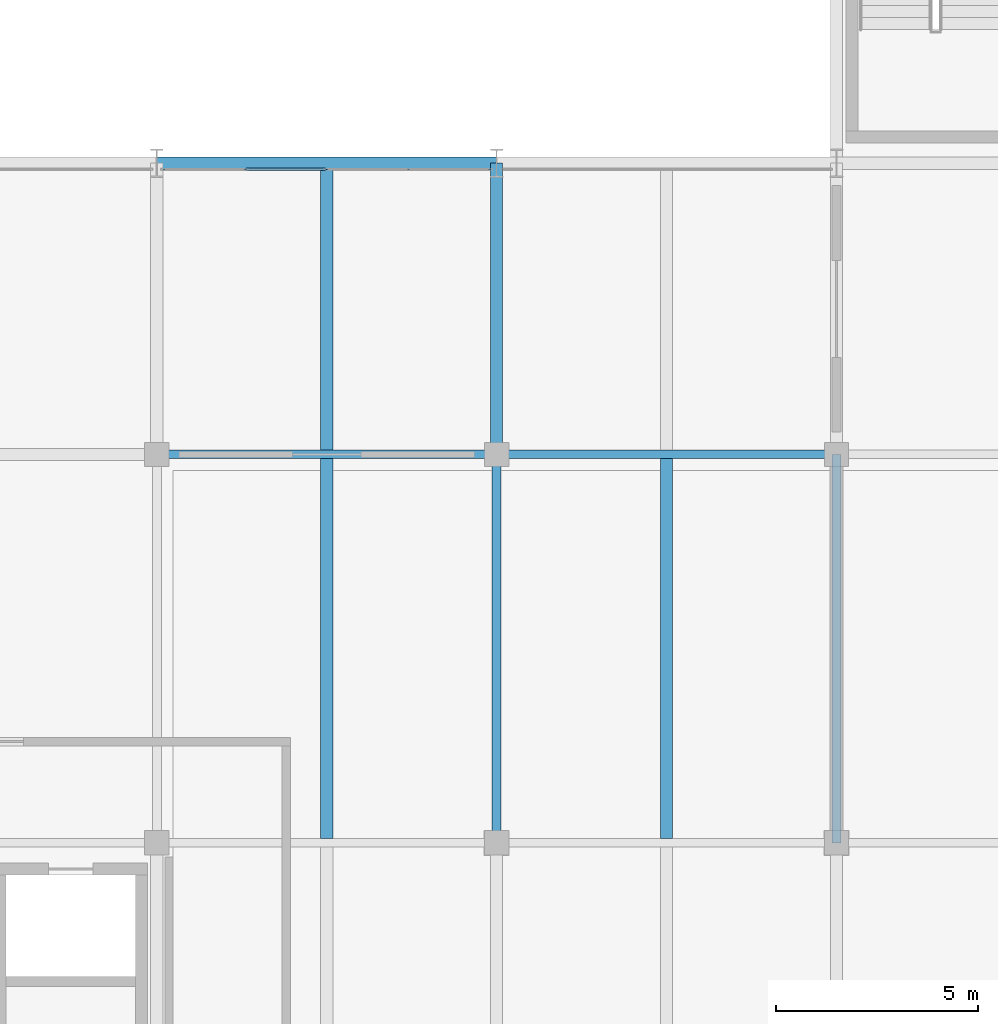
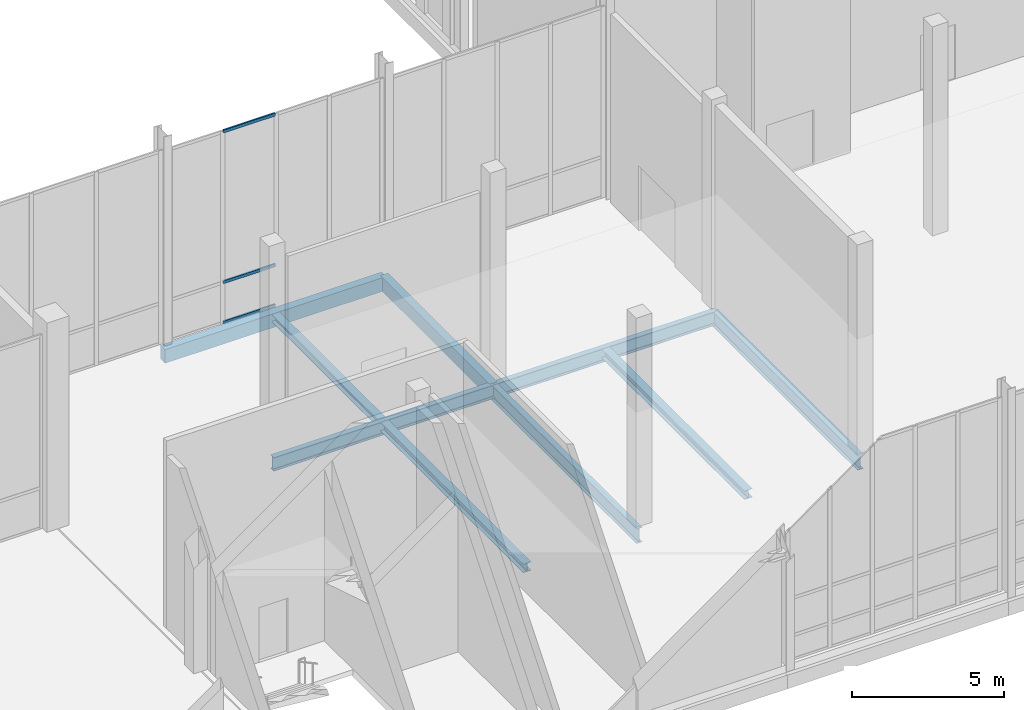
# One storey, part 34 of 131: 9 beams, 3 members, 1 element without a shape of its own.
"""IFC4 building model written with IfcOpenShell, lengths in metres."""

from ifc_helpers import new_model, si_unit, direction, frame, origin, origin_2d, place, context, subcontext, project, spatial, rectangle, hollow_rectangle, i_section, extrude, material, material_profile, profile_set, type_object, element, aggregate, save


model = new_model("IFC4")

# Units and contexts
model_context = context("Model", 3, precision=1e-05, world=origin(), true_north=direction((0.0, 1.0)))
body_context = subcontext(model_context, "Body", "Model", "MODEL_VIEW")
ifc_project = project(units=[si_unit("LENGTHUNIT", "METRE"), si_unit("AREAUNIT", "SQUARE_METRE"), si_unit("VOLUMEUNIT", "CUBIC_METRE"), si_unit("PLANEANGLEUNIT", "RADIAN"), si_unit("MASSUNIT", "GRAM", prefix="KILO")], contexts=[model_context])

# Site, building, storey
site_placement = place(None, origin())
site = spatial("IfcSite", under=ifc_project, at=site_placement, CompositionType="ELEMENT")
building_placement = place(site_placement, origin())
building = spatial("IfcBuilding", under=site, at=building_placement, Name="Veltarok Museum of Natural Sciences", CompositionType="ELEMENT")
storey_placement = place(building_placement, origin())
storey = spatial("IfcBuildingStorey", under=building, at=storey_placement, Name="L00", CompositionType="ELEMENT", Elevation=0.0)

# Beams
ifc_material_1 = material(Name="Steel S355J2", Category="steel")
ifc_material_profile_1 = material_profile(ifc_material_1, i_section(OverallWidth=0.2099609375, OverallDepth=0.550048828125, WebThickness=0.010986328125, FlangeThickness=0.01708984375, FilletRadius=0.02392578125, at=origin_2d()), Name="IPE 550")
ifc_profile_set_1 = profile_set([ifc_material_profile_1], Name="Steel S355J2")
beam_type_1 = type_object("IfcBeamType", Name="Archive Heavy Girder IPE 550", PredefinedType="BEAM", material=ifc_profile_set_1)
for number, where, z_axis, x_axis, name in (
    (1, (115.60009765625, 19.199951171875, -0.574951171875), (1.0, 0.0, 0.0), (0.0, 1.0, 0.0), "Beam BM-G03 L00 14-15/C"),
    (2, (124.0, 19.199951171875, -0.574951171875), (1.0, 0.0, 0.0), (0.0, 1.0, 0.0), "Beam BM-G03 L00 15-16/C"),
):
    element("IfcBeam", number, at=place(storey_placement, frame(where, z_axis=z_axis, x_axis=x_axis)), inside=storey, type_object=beam_type_1, Name=name, PredefinedType="BEAM", context=body_context, shape_type="SweptSolid", body=[
        extrude(i_section(OverallWidth=0.2099609375, OverallDepth=0.550048828125, WebThickness=0.010986328125, FlangeThickness=0.01708984375, FilletRadius=0.02392578125, at=origin_2d()), origin(), (0.0, 0.0, 1.0), 8.39990234375),
    ])

# Curtain wall, members
ifc_material_2 = material(Name="Low-iron triple insulated glass", Category="glass")
curtain_wall_type = type_object("IfcCurtainWallType", Name="Curtain Wall System CW-V5CN-L00-1-810x773 (CW-V5CN L00 810x773cm)", PredefinedType="NOTDEFINED", material=ifc_material_2)
curtain_wall_placement = place(storey_placement, origin())
curtain_wall = element("IfcCurtainWall", 3, at=curtain_wall_placement, inside=storey, type_object=curtain_wall_type, Name="Curtain Wall CW-V5CN-L00-1-810x773 CW-0185", PredefinedType="NOTDEFINED")
ifc_material_3 = material(Name="Thermally broken anodised aluminium", Category="aluminium")
ifc_material_profile_2 = material_profile(ifc_material_3, hollow_rectangle(XDim=0.06005859375, YDim=0.1201171875, WallThickness=0.0048828125, at=origin_2d()), Name="CW TRANSOM 60x120x5")
ifc_profile_set_2 = profile_set([ifc_material_profile_2], Name="Thermally broken anodised aluminium")
member_type = type_object("IfcMemberType", Name="Curtain Wall Horizontal Transom 60x120x5", PredefinedType="USERDEFINED", material=ifc_profile_set_2)
member_1_placement = place(storey_placement, frame((119.77001953125, 26.25, 0.028076171875), z_axis=(-1.0, 0.0, 0.0), x_axis=(0.0, -1.0, 0.0)))
member_1 = element("IfcMember", 4, at=member_1_placement, type_object=member_type, Name="CW-V5CN-L00-1-810x773 transom 3.1", ObjectType="TRANSOM", PredefinedType="USERDEFINED", context=body_context, shape_type="SweptSolid", body=[
    extrude(hollow_rectangle(XDim=0.06005859375, YDim=0.1201171875, WallThickness=0.0048828125, at=origin_2d()), origin(), (0.0, 0.0, 1.0), 1.965087890625),
])
member_2_placement = place(storey_placement, frame((119.77001953125, 26.25, 1.64794921875), z_axis=(-1.0, 0.0, 0.0), x_axis=(0.0, -1.0, 0.0)))
member_2 = element("IfcMember", 5, at=member_2_placement, type_object=member_type, Name="CW-V5CN-L00-1-810x773 transom 3.2", ObjectType="TRANSOM", PredefinedType="USERDEFINED", context=body_context, shape_type="SweptSolid", body=[
    extrude(hollow_rectangle(XDim=0.06005859375, YDim=0.1201171875, WallThickness=0.0048828125, at=origin_2d()), origin(), (0.0, 0.0, 1.0), 1.965087890625),
])
member_3_placement = place(storey_placement, frame((119.77001953125, 26.25, 7.699951171875), z_axis=(-1.0, 0.0, 0.0), x_axis=(0.0, -1.0, 0.0)))
member_3 = element("IfcMember", 6, at=member_3_placement, type_object=member_type, Name="CW-V5CN-L00-1-810x773 transom 3.3", ObjectType="TRANSOM", PredefinedType="USERDEFINED", context=body_context, shape_type="SweptSolid", body=[
    extrude(hollow_rectangle(XDim=0.06005859375, YDim=0.1201171875, WallThickness=0.0048828125, at=origin_2d()), origin(), (0.0, 0.0, 1.0), 1.965087890625),
])
aggregate(curtain_wall, [member_1, member_2, member_3])

# Beams
ifc_material_4 = material(Name="Precast concrete C40/50", Category="concrete")
ifc_material_profile_3 = material_profile(ifc_material_4, rectangle(XDim=0.300048828125, YDim=0.550048828125, at=origin_2d()), Name="RC 300x550")
ifc_profile_set_3 = profile_set([ifc_material_profile_3], Name="Precast concrete C40/50")
beam_type_2 = type_object("IfcBeamType", Name="East Wing Precast Spandrel RC 300x550", PredefinedType="SPANDREL", material=ifc_profile_set_3)
beam_1_placement = place(storey_placement, frame((115.60009765625, 26.39990234375, -0.574951171875), z_axis=(1.0, 0.0, 0.0), x_axis=(0.0, 1.0, 0.0)))
element("IfcBeam", 7, at=beam_1_placement, inside=storey, type_object=beam_type_2, Name="Beam BM-SP02 L00 14-15/D", PredefinedType="SPANDREL", context=body_context, shape_type="SweptSolid", body=[
    extrude(rectangle(XDim=0.300048828125, YDim=0.550048828125, at=origin_2d()), origin(), (0.0, 0.0, 1.0), 8.39990234375),
])
beam_2_placement = place(storey_placement, frame((124.0, 19.199951171875, -0.574951171875), z_axis=(0.0, 1.0, 0.0), x_axis=(-1.0, 0.0, 0.0)))
element("IfcBeam", 8, at=beam_2_placement, inside=storey, type_object=beam_type_2, Name="Beam BM-SP02 L00 15/C-D", PredefinedType="SPANDREL", context=body_context, shape_type="SweptSolid", body=[
    extrude(rectangle(XDim=0.300048828125, YDim=0.550048828125, at=origin_2d()), origin(), (0.0, 0.0, 1.0), 7.199951171875),
])
ifc_material_profile_4 = material_profile(ifc_material_1, i_section(OverallWidth=0.300048828125, OverallDepth=0.300048828125, WebThickness=0.010986328125, FlangeThickness=0.01904296875, FilletRadius=0.027099609375, at=origin_2d()), Name="HEB 300")
ifc_profile_set_4 = profile_set([ifc_material_profile_4], Name="Steel S355J2")
beam_type_3 = type_object("IfcBeamType", Name="Laboratory Floor Joist HEB 300", PredefinedType="JOIST", material=ifc_profile_set_4)
beam_3_placement = place(storey_placement, frame((119.800048828125, 19.302978515625, -0.449951171875), z_axis=(0.0, 1.0, 0.0), x_axis=(-1.0, 0.0, 0.0)))
element("IfcBeam", 9, at=beam_3_placement, inside=storey, type_object=beam_type_3, Name="Secondary Joist BM-J10 L00 14-15/C-D.1", PredefinedType="JOIST", context=body_context, shape_type="SweptSolid", body=[
    extrude(i_section(OverallWidth=0.300048828125, OverallDepth=0.300048828125, WebThickness=0.010986328125, FlangeThickness=0.01904296875, FilletRadius=0.027099609375, at=origin_2d()), origin(), (0.0, 0.0, 1.0), 6.948974609375),
])
ifc_material_profile_5 = material_profile(ifc_material_1, i_section(OverallWidth=0.300048828125, OverallDepth=0.35009765625, WebThickness=0.010009765625, FlangeThickness=0.017578125, FilletRadius=0.027099609375, at=origin_2d()), Name="HEA 360")
ifc_profile_set_5 = profile_set([ifc_material_profile_5], Name="Steel S355J2")
beam_type_4 = type_object("IfcBeamType", Name="Long-Span Gallery Joist HEA 360", PredefinedType="JOIST", material=ifc_profile_set_5)
for number, where, z_axis, x_axis, name in (
    (10, (119.800048828125, 9.702880859375, -0.47509765625), (0.0, 1.0, 0.0), (-1.0, 0.0, 0.0), "Secondary Joist BM-J07 L00 14-15/B-C.1"),
    (11, (128.199951171875, 9.702880859375, -0.47509765625), (0.0, 1.0, 0.0), (-1.0, 0.0, 0.0), "Secondary Joist BM-J07 L00 15-16/B-C.1"),
):
    element("IfcBeam", number, at=place(storey_placement, frame(where, z_axis=z_axis, x_axis=x_axis)), inside=storey, type_object=beam_type_4, Name=name, PredefinedType="JOIST", context=body_context, shape_type="SweptSolid", body=[
        extrude(i_section(OverallWidth=0.300048828125, OverallDepth=0.35009765625, WebThickness=0.010009765625, FlangeThickness=0.017578125, FilletRadius=0.027099609375, at=origin_2d()), origin(), (0.0, 0.0, 1.0), 9.39404296875),
    ])
ifc_material_profile_6 = material_profile(ifc_material_1, i_section(OverallWidth=0.219970703125, OverallDepth=0.60009765625, WebThickness=0.011962890625, FlangeThickness=0.01904296875, FilletRadius=0.02392578125, at=origin_2d()), Name="IPE 600")
ifc_profile_set_6 = profile_set([ifc_material_profile_6], Name="Steel S355J2")
beam_type_5 = type_object("IfcBeamType", Name="Primary Museum Girder IPE 600", PredefinedType="BEAM", material=ifc_profile_set_6)
for number, where, z_axis, x_axis, name in (
    (12, (124.0, 9.60009765625, -0.60009765625), (0.0, 1.0, 0.0), (-1.0, 0.0, 0.0), "Beam BM-G02 L00 15/B-C"),
    (13, (132.39990234375, 9.60009765625, -0.60009765625), (0.0, 1.0, 0.0), (-1.0, 0.0, 0.0), "Beam BM-G02 L00 16/B-C"),
):
    element("IfcBeam", number, at=place(storey_placement, frame(where, z_axis=z_axis, x_axis=x_axis)), inside=storey, type_object=beam_type_5, Name=name, PredefinedType="BEAM", context=body_context, shape_type="SweptSolid", body=[
        extrude(i_section(OverallWidth=0.219970703125, OverallDepth=0.60009765625, WebThickness=0.011962890625, FlangeThickness=0.01904296875, FilletRadius=0.02392578125, at=origin_2d()), origin(), (0.0, 0.0, 1.0), 9.599853515625),
    ])

save(model, "model.ifc")
